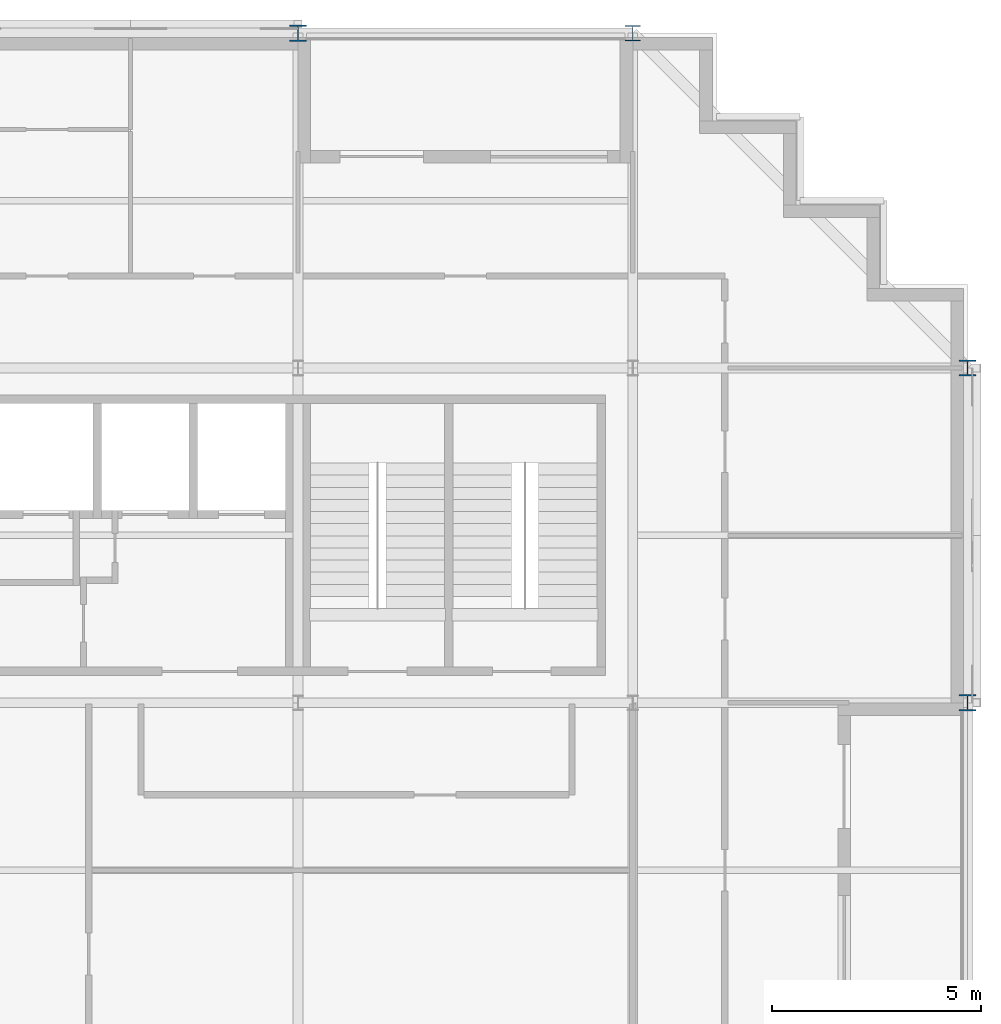
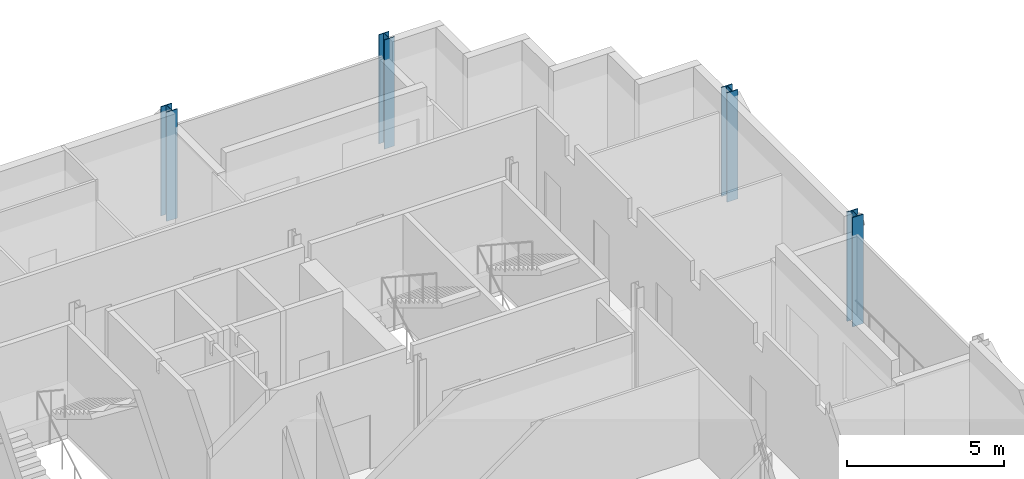
# One storey, part 3 of 14: 4 columns.
"""IFC4 building model written with IfcOpenShell, lengths in metres."""

from ifc_helpers import new_model, si_unit, direction, frame, origin, origin_2d, place, context, subcontext, project, spatial, i_section, extrude, material, material_profile, profile_set, type_object, element, save


model = new_model("IFC4")

# Units and contexts
model_context = context("Model", 3, precision=1e-05, world=origin(), true_north=direction((0.0, 1.0)))
body_context = subcontext(model_context, "Body", "Model", "MODEL_VIEW")
ifc_project = project(units=[si_unit("LENGTHUNIT", "METRE"), si_unit("AREAUNIT", "SQUARE_METRE"), si_unit("VOLUMEUNIT", "CUBIC_METRE"), si_unit("PLANEANGLEUNIT", "RADIAN"), si_unit("MASSUNIT", "GRAM", prefix="KILO")], contexts=[model_context])

# Site, building, storey
site_placement = place(None, origin())
site = spatial("IfcSite", under=ifc_project, at=site_placement, CompositionType="ELEMENT")
building_placement = place(site_placement, origin())
building = spatial("IfcBuilding", under=site, at=building_placement, Name="Immortelle Media Tower", CompositionType="ELEMENT")
storey_placement = place(building_placement, frame((0.0, 0.0, 96.39990234375)))
storey = spatial("IfcBuildingStorey", under=building, at=storey_placement, Name="L18", CompositionType="ELEMENT", Elevation=96.39990234375)

# Columns
ifc_material = material(Name="Steel ASTM A992 Gr 50", Category="steel")
ifc_material_profile_1 = material_profile(ifc_material, i_section(OverallWidth=0.373046875, OverallDepth=0.367919921875, WebThickness=0.014892578125, FlangeThickness=0.02392578125, at=origin_2d()), Name="W14x120")
ifc_profile_set_1 = profile_set([ifc_material_profile_1], Name="Steel ASTM A992 Gr 50")
column_type_1 = type_object("IfcColumnType", Name="W14x120 column", PredefinedType="COLUMN", material=ifc_profile_set_1)
column_placement = place(storey_placement, frame((40.0, 48.0, 0.0), z_axis=(0.0, 0.0, 1.0), x_axis=(1.0, 0.0, 0.0)))
element("IfcColumn", 1, at=column_placement, inside=storey, type_object=column_type_1, Name="Column 6/G", PredefinedType="COLUMN", context=body_context, shape_type="SweptSolid", body=[
    extrude(i_section(OverallWidth=0.373046875, OverallDepth=0.367919921875, WebThickness=0.014892578125, FlangeThickness=0.02392578125, at=origin_2d()), origin(), (0.0, 0.0, 1.0), 4.25),
])
ifc_material_profile_2 = material_profile(ifc_material, i_section(OverallWidth=0.39892578125, OverallDepth=0.385986328125, WebThickness=0.02099609375, FlangeThickness=0.032958984375, at=origin_2d()), Name="W14x176")
ifc_profile_set_2 = profile_set([ifc_material_profile_2], Name="Steel ASTM A992 Gr 50")
column_type_2 = type_object("IfcColumnType", Name="W14x176 column", PredefinedType="COLUMN", material=ifc_profile_set_2)
for number, where, z_axis, x_axis, name in (
    (2, (32.0, 48.0, 0.0), (0.0, 0.0, 1.0), (1.0, 0.0, 0.0), "Column 5/G"),
    (3, (48.0, 32.0, 0.0), (0.0, 0.0, 1.0), (1.0, 0.0, 0.0), "Column 7/E"),
    (4, (48.0, 40.0, 0.0), (0.0, 0.0, 1.0), (1.0, 0.0, 0.0), "Column 7/F"),
):
    element("IfcColumn", number, at=place(storey_placement, frame(where, z_axis=z_axis, x_axis=x_axis)), inside=storey, type_object=column_type_2, Name=name, PredefinedType="COLUMN", context=body_context, shape_type="SweptSolid", body=[
        extrude(i_section(OverallWidth=0.39892578125, OverallDepth=0.385986328125, WebThickness=0.02099609375, FlangeThickness=0.032958984375, at=origin_2d()), origin(), (0.0, 0.0, 1.0), 4.25),
    ])

save(model, "model.ifc")
